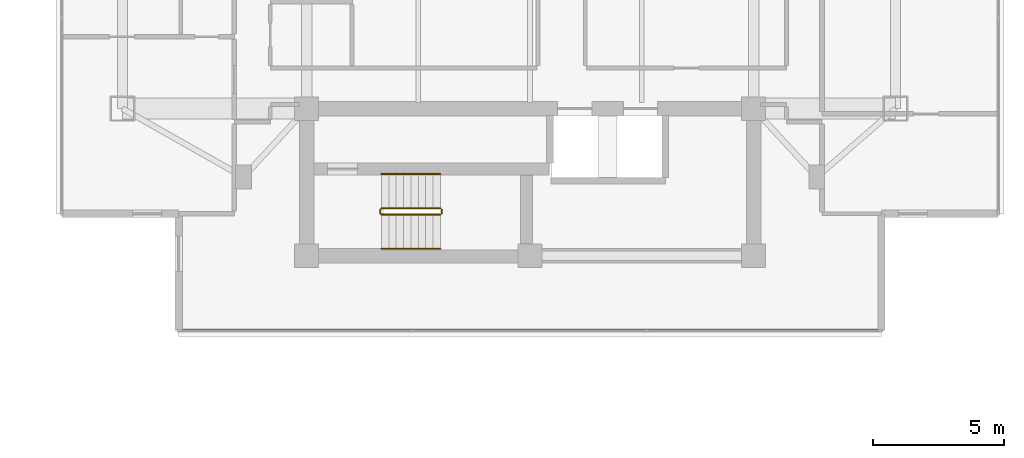
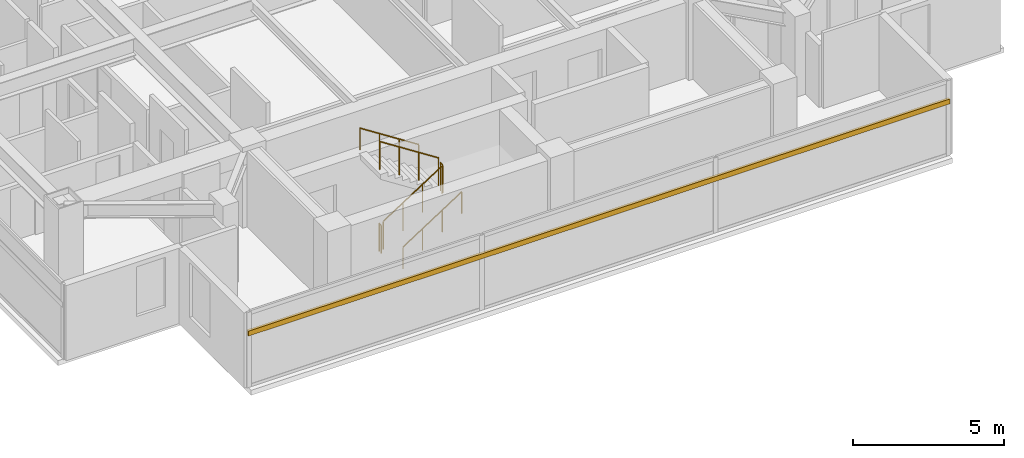
# One storey, part 24 of 26: 6 railings, 1 shading device.
"""IFC4 building model written with IfcOpenShell, lengths in metres."""

from ifc_helpers import new_model, si_unit, direction, frame, origin, origin_2d, place, context, subcontext, project, spatial, rectangle, circle, extrude, material, material_profile, profile_set, type_object, element, save


model = new_model("IFC4")

# Units and contexts
model_context = context("Model", 3, precision=1e-05, world=origin(), true_north=direction((0.0, 1.0)))
body_context = subcontext(model_context, "Body", "Model", "MODEL_VIEW")
ifc_project = project(units=[si_unit("LENGTHUNIT", "METRE"), si_unit("AREAUNIT", "SQUARE_METRE"), si_unit("VOLUMEUNIT", "CUBIC_METRE"), si_unit("PLANEANGLEUNIT", "RADIAN"), si_unit("MASSUNIT", "GRAM", prefix="KILO")], contexts=[model_context])

# Site, building, storey
site_placement = place(None, origin())
site = spatial("IfcSite", under=ifc_project, at=site_placement, CompositionType="ELEMENT")
building_placement = place(site_placement, origin())
building = spatial("IfcBuilding", under=site, at=building_placement, Name="Mirazonda Arch Towers", CompositionType="ELEMENT")
storey_placement = place(building_placement, frame((0.0, 0.0, 203.14990234375)))
storey = spatial("IfcBuildingStorey", under=building, at=storey_placement, Name="L58", CompositionType="ELEMENT", Elevation=203.14990234375)

# Shading device
ifc_material_1 = material(Name="Kiln-Fired Architectural Terracotta", Category="masonry")
ifc_material_profile = material_profile(ifc_material_1, rectangle(XDim=0.10009765625, YDim=0.199951171875, at=origin_2d()), Name="TERRA-BAG-100x200")
ifc_profile_set = profile_set([ifc_material_profile], Name="Kiln-Fired Architectural Terracotta")
shading_device_type = type_object("IfcShadingDeviceType", Name="BAGUETTE-2", PredefinedType="USERDEFINED", material=ifc_profile_set)
shading_device_placement = place(storey_placement, frame((89.86572265625, 12.36181640625, 2.181640625), z_axis=(-1.0, 0.0, 0.0), x_axis=(0.0, -1.0, 0.0)))
element("IfcShadingDevice", 1, at=shading_device_placement, inside=storey, type_object=shading_device_type, Name="L58 Glazed Terracotta Sun-Screen Baguette CW-L58-T2-S", ObjectType="BAGUETTE", PredefinedType="USERDEFINED", context=body_context, shape_type="SweptSolid", body=[
    extrude(rectangle(XDim=0.10009765625, YDim=0.199951171875, at=origin_2d()), origin(), (0.0, 0.0, 1.0), 26.7314453125),
])

# Railings
ifc_material_2 = material(Name="Architectural Brushed Steel S355", Category="steel")
railing_type_1 = type_object("IfcRailingType", Name="GUARD-STAIR-1120", PredefinedType="GUARDRAIL", material=ifc_material_2)
railing_1_placement = place(storey_placement, frame((70.85009765625, 16.77001953125, 0.1806640625)))
element("IfcRailing", 2, at=railing_1_placement, inside=storey, type_object=railing_type_1, Name="L58 ST-T2S stair guard 1", PredefinedType="GUARDRAIL", context=body_context, shape_type="SweptSolid", body=[
    extrude(circle(Radius=0.02392578125, at=origin_2d()), frame((0.0, 0.0, 1.1259765625), z_axis=(0.840436612492, 0.0, 0.541909863706), x_axis=(0.0, 1.0, 0.0)), (0.0, 0.0, 1.0), 2.665283203125),
    extrude(circle(Radius=0.02099609375, at=origin_2d()), origin(), (0.0, 0.0, 1.0), 1.101806640625),
    extrude(circle(Radius=0.02099609375, at=origin_2d()), frame((0.74658203125, 0.0, 0.4814453125)), (0.0, 0.0, 1.0), 1.101806640625),
    extrude(circle(Radius=0.02099609375, at=origin_2d()), frame((1.493408203125, 0.0, 0.962890625)), (0.0, 0.0, 1.0), 1.101806640625),
    extrude(circle(Radius=0.02099609375, at=origin_2d()), frame((2.239990234375, 0.0, 1.4443359375)), (0.0, 0.0, 1.0), 1.101806640625),
])
railing_2_placement = place(storey_placement, frame((73.139892578125, 16.820068359375, 1.625)))
element("IfcRailing", 3, at=railing_2_placement, inside=storey, type_object=railing_type_1, Name="L58 ST-T2S stair guard 2", PredefinedType="GUARDRAIL", context=body_context, shape_type="SweptSolid", body=[
    extrude(circle(Radius=0.02392578125, at=origin_2d()), frame((0.0, 0.0, 1.1259765625), z_axis=(0.0, 1.0, 0.0), x_axis=(-1.0, 0.0, 0.0)), (0.0, 0.0, 1.0), 0.139892578125),
    extrude(circle(Radius=0.02099609375, at=origin_2d()), origin(), (0.0, 0.0, 1.0), 1.101806640625),
    extrude(circle(Radius=0.02099609375, at=origin_2d()), frame((0.0, 0.139892578125, 0.0)), (0.0, 0.0, 1.0), 1.101806640625),
])
railing_3_placement = place(storey_placement, frame((73.090087890625, 17.010009765625, 1.8056640625)))
element("IfcRailing", 4, at=railing_3_placement, inside=storey, type_object=railing_type_1, Name="L58 ST-T2S stair guard 3", PredefinedType="GUARDRAIL", context=body_context, shape_type="SweptSolid", body=[
    extrude(circle(Radius=0.02392578125, at=origin_2d()), frame((0.0, 0.0, 1.1259765625), z_axis=(-0.840436612492, 0.0, 0.541909863706), x_axis=(0.0, -1.0, 0.0)), (0.0, 0.0, 1.0), 2.665283203125),
    extrude(circle(Radius=0.02099609375, at=origin_2d()), origin(), (0.0, 0.0, 1.0), 1.101806640625),
    extrude(circle(Radius=0.02099609375, at=origin_2d()), frame((-0.74658203125, 0.0, 0.4814453125)), (0.0, 0.0, 1.0), 1.101806640625),
    extrude(circle(Radius=0.02099609375, at=origin_2d()), frame((-1.493408203125, 0.0, 0.962890625)), (0.0, 0.0, 1.0), 1.101806640625),
    extrude(circle(Radius=0.02099609375, at=origin_2d()), frame((-2.239990234375, 0.0, 1.4443359375)), (0.0, 0.0, 1.0), 1.101806640625),
])
railing_4_placement = place(storey_placement, frame((70.800048828125, 16.820068359375, 0.0)))
element("IfcRailing", 5, at=railing_4_placement, inside=storey, type_object=railing_type_1, Name="L58 ST-T2S stair guard 4", PredefinedType="GUARDRAIL", context=body_context, shape_type="SweptSolid", body=[
    extrude(circle(Radius=0.02392578125, at=origin_2d()), frame((0.0, 0.0, 1.1259765625), z_axis=(0.0, 1.0, 0.0), x_axis=(-1.0, 0.0, 0.0)), (0.0, 0.0, 1.0), 0.139892578125),
    extrude(circle(Radius=0.02099609375, at=origin_2d()), origin(), (0.0, 0.0, 1.0), 1.101806640625),
    extrude(circle(Radius=0.02099609375, at=origin_2d()), frame((0.0, 0.139892578125, 0.0)), (0.0, 0.0, 1.0), 1.101806640625),
])
railing_type_2 = type_object("IfcRailingType", Name="HANDRAIL-915", PredefinedType="HANDRAIL", material=ifc_material_2)
railing_5_placement = place(storey_placement, frame((70.85009765625, 15.469970703125, 0.1806640625)))
element("IfcRailing", 6, at=railing_5_placement, inside=storey, type_object=railing_type_2, Name="L58 ST-T2S stair handrail 1", PredefinedType="HANDRAIL", context=body_context, shape_type="SweptSolid", body=[
    extrude(circle(Radius=0.02392578125, at=origin_2d()), frame((0.0, 0.0, 0.8759765625), z_axis=(0.840436612492, 0.0, 0.541909863706), x_axis=(0.0, 1.0, 0.0)), (0.0, 0.0, 1.0), 2.665283203125),
    extrude(circle(Radius=0.02099609375, at=origin_2d()), origin(), (0.0, 0.0, 1.0), 0.851806640625),
    extrude(circle(Radius=0.02099609375, at=origin_2d()), frame((0.74658203125, 0.0, 0.4814453125)), (0.0, 0.0, 1.0), 0.851806640625),
    extrude(circle(Radius=0.02099609375, at=origin_2d()), frame((1.493408203125, 0.0, 0.962890625)), (0.0, 0.0, 1.0), 0.851806640625),
    extrude(circle(Radius=0.02099609375, at=origin_2d()), frame((2.239990234375, 0.0, 1.4443359375)), (0.0, 0.0, 1.0), 0.851806640625),
])
railing_6_placement = place(storey_placement, frame((73.090087890625, 18.31005859375, 1.8056640625)))
element("IfcRailing", 7, at=railing_6_placement, inside=storey, type_object=railing_type_2, Name="L58 ST-T2S stair handrail 2", PredefinedType="HANDRAIL", context=body_context, shape_type="SweptSolid", body=[
    extrude(circle(Radius=0.02392578125, at=origin_2d()), frame((0.0, 0.0, 0.8759765625), z_axis=(-0.840436612492, 0.0, 0.541909863706), x_axis=(0.0, -1.0, 0.0)), (0.0, 0.0, 1.0), 2.665283203125),
    extrude(circle(Radius=0.02099609375, at=origin_2d()), origin(), (0.0, 0.0, 1.0), 0.851806640625),
    extrude(circle(Radius=0.02099609375, at=origin_2d()), frame((-0.74658203125, 0.0, 0.4814453125)), (0.0, 0.0, 1.0), 0.851806640625),
    extrude(circle(Radius=0.02099609375, at=origin_2d()), frame((-1.493408203125, 0.0, 0.962890625)), (0.0, 0.0, 1.0), 0.851806640625),
    extrude(circle(Radius=0.02099609375, at=origin_2d()), frame((-2.239990234375, 0.0, 1.4443359375)), (0.0, 0.0, 1.0), 0.851806640625),
])

save(model, "model.ifc")
